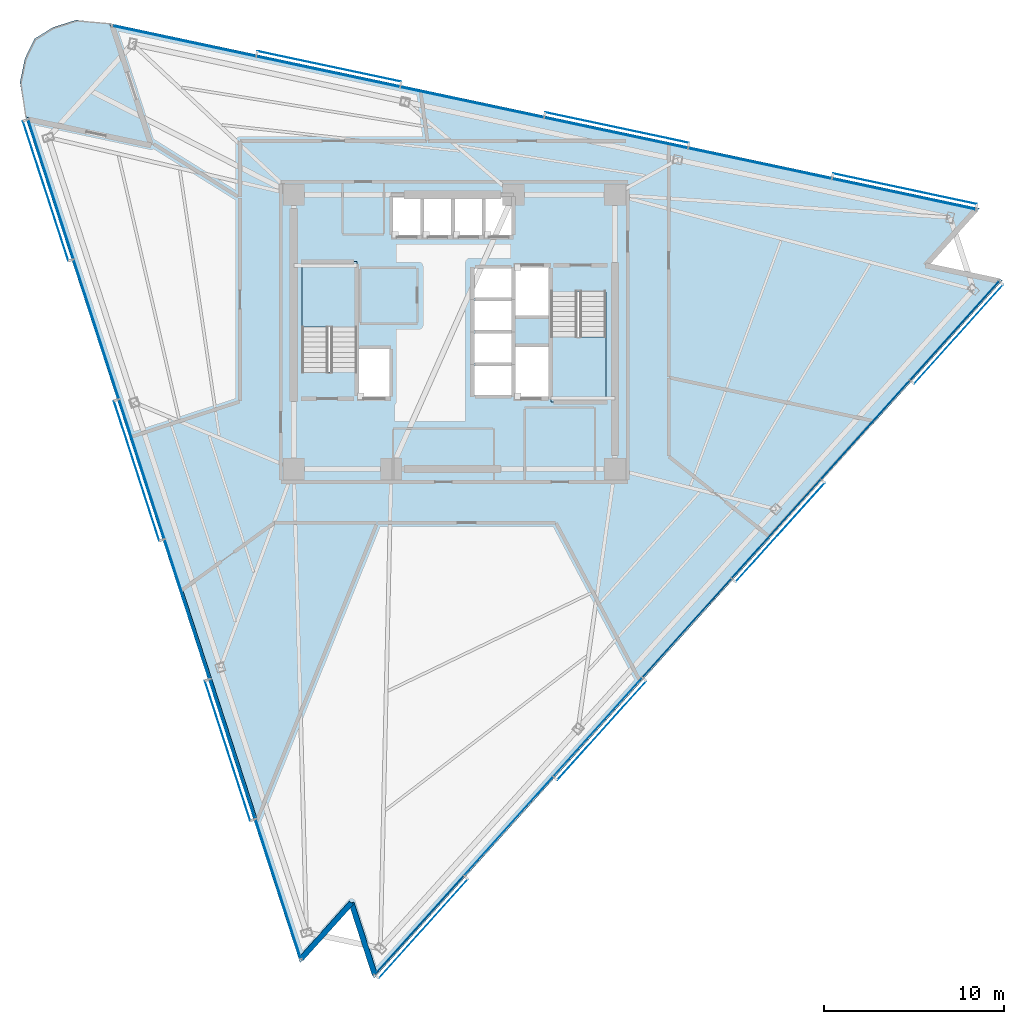
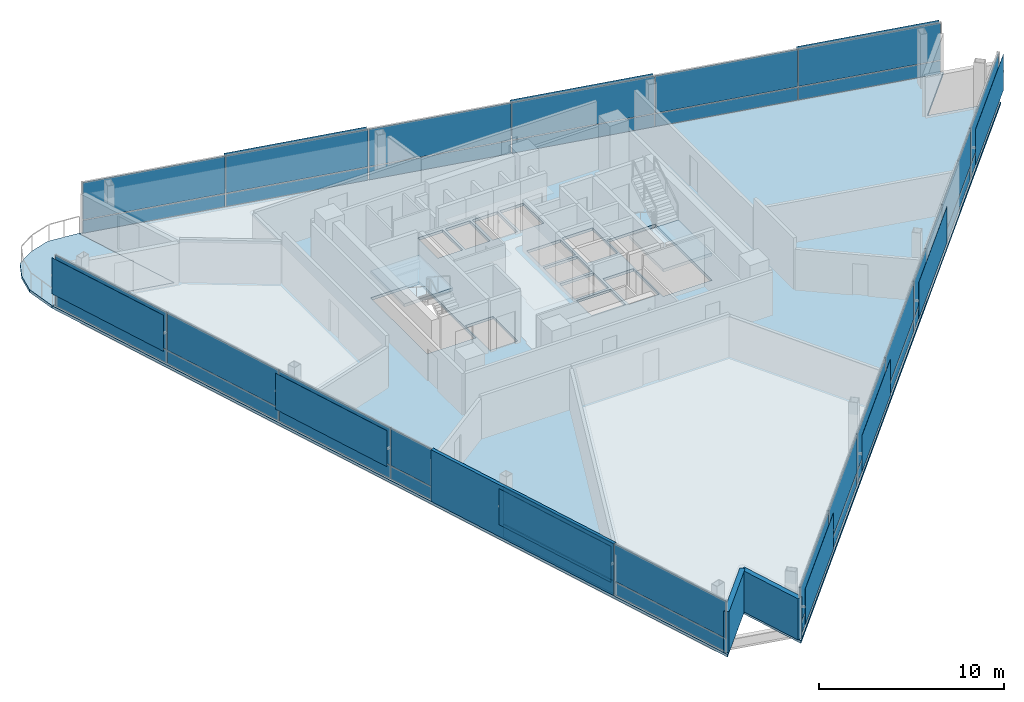
# One storey, part 9 of 17: 48 plates, 4 slabs, 3 walls, 5 elements without a shape of their own.
"""IFC4 building model written with IfcOpenShell, lengths in metres."""

from ifc_helpers import new_model, si_unit, direction, frame, frame_2d, origin, origin_2d, place, context, subcontext, project, spatial, polyline, rectangle, outline, extrude, material, layer, layer_set, type_object, element, aggregate, save


model = new_model("IFC4")

# Units and contexts
model_context = context("Model", 3, precision=1e-05, world=origin(), true_north=direction((0.0, 1.0)))
body_context = subcontext(model_context, "Body", "Model", "MODEL_VIEW")
ifc_project = project(units=[si_unit("LENGTHUNIT", "METRE"), si_unit("AREAUNIT", "SQUARE_METRE"), si_unit("VOLUMEUNIT", "CUBIC_METRE"), si_unit("PLANEANGLEUNIT", "RADIAN"), si_unit("MASSUNIT", "GRAM", prefix="KILO")], contexts=[model_context])

# Site, building, storey
site_placement = place(None, origin())
site = spatial("IfcSite", under=ifc_project, at=site_placement, CompositionType="ELEMENT")
building_placement = place(site_placement, origin())
building = spatial("IfcBuilding", under=site, at=building_placement, Name="Tharavind Bronze Gate", CompositionType="ELEMENT")
storey_placement = place(building_placement, frame((0.0, 0.0, 200.449951171875)))
storey = spatial("IfcBuildingStorey", under=building, at=storey_placement, Name="L51", CompositionType="ELEMENT", Elevation=200.449951171875)

# Plates
ifc_material_1 = material(Name="Perforated Bronze Alloy", Category="bronze")
ifc_layer_1 = layer(ifc_material_1, 0.011962890625)
ifc_layer_set_1 = layer_set([ifc_layer_1], Name="Perforated Bronze Alloy")
plate_type_1 = type_object("IfcPlateType", Name="BRONZE PERFORATED SOLAR SCREEN", PredefinedType="USERDEFINED", material=ifc_layer_set_1)
for number, where, z_axis, x_axis, name in (
    (1, (-22.650634765625, 7.81103515625, 0.966796875), (0.0, 0.0, 1.0), (0.309016994375, -0.951056516295, 0.0), "CW-L51-S1 perforated bronze solar screen 1"),
    (2, (-17.610107421875, -7.701904296875, 0.966796875), (0.0, 0.0, 1.0), (0.309016994375, -0.951056516295, 0.0), "CW-L51-S1 perforated bronze solar screen 3"),
    (3, (-12.569580078125, -23.215087890625, 0.966796875), (0.0, 0.0, 1.0), (0.309016994375, -0.951056516295, 0.0), "CW-L51-S1 perforated bronze solar screen 5"),
):
    element("IfcPlate", number, at=place(storey_placement, frame(where, z_axis=z_axis, x_axis=x_axis)), inside=storey, type_object=plate_type_1, Name=name, ObjectType="SCREEN", PredefinedType="USERDEFINED", context=body_context, shape_type="SweptSolid", body=[
        extrude(rectangle(XDim=8.1357421875, YDim=0.011962890625, at=origin_2d()), origin(), (0.0, 0.0, 1.0), 2.386962890625),
    ])
for number, where, z_axis, x_axis, name in (
    (4, (-1.720703125, -33.081298828125, 0.966796875), (0.0, 0.0, 1.0), (0.669130606359, 0.743144825477, 0.0), "CW-L51-S2 perforated bronze solar screen 1"),
    (5, (8.168212890625, -22.098388671875, 0.966796875), (0.0, 0.0, 1.0), (0.669130606359, 0.743144825477, 0.0), "CW-L51-S2 perforated bronze solar screen 3"),
    (6, (18.057373046875, -11.115478515625, 0.966796875), (0.0, 0.0, 1.0), (0.669130606359, 0.743144825477, 0.0), "CW-L51-S2 perforated bronze solar screen 5"),
    (7, (27.9462890625, -0.132568359375, 0.966796875), (0.0, 0.0, 1.0), (0.669130606359, 0.743144825477, 0.0), "CW-L51-S2 perforated bronze solar screen 7"),
):
    element("IfcPlate", number, at=place(storey_placement, frame(where, z_axis=z_axis, x_axis=x_axis)), inside=storey, type_object=plate_type_1, Name=name, ObjectType="SCREEN", PredefinedType="USERDEFINED", context=body_context, shape_type="SweptSolid", body=[
        extrude(rectangle(XDim=7.369384765625, YDim=0.011962890625, at=origin_2d()), origin(), (0.0, 0.0, 1.0), 2.386962890625),
    ])
for number, where, z_axis, x_axis, name in (
    (8, (24.977783203125, 7.929931640625, 0.966796875), (0.0, 0.0, 1.0), (-0.978147600734, 0.207911690818, 0.0), "CW-L51-S3 perforated bronze solar screen 1"),
    (9, (9.022705078125, 11.3212890625, 0.966796875), (0.0, 0.0, 1.0), (-0.978147600734, 0.207911690818, 0.0), "CW-L51-S3 perforated bronze solar screen 3"),
    (10, (-6.93212890625, 14.712646484375, 0.966796875), (0.0, 0.0, 1.0), (-0.978147600734, 0.207911690818, 0.0), "CW-L51-S3 perforated bronze solar screen 5"),
):
    element("IfcPlate", number, at=place(storey_placement, frame(where, z_axis=z_axis, x_axis=x_axis)), inside=storey, type_object=plate_type_1, Name=name, ObjectType="SCREEN", PredefinedType="USERDEFINED", context=body_context, shape_type="SweptSolid", body=[
        extrude(rectangle(XDim=8.1357421875, YDim=0.011962890625, at=origin_2d()), origin(), (0.0, 0.0, 1.0), 2.386962890625),
    ])

# Curtain wall, plates
ifc_material_2 = material(Name="Anodised Bronze Aluminium", Category="aluminium")
ifc_layer_2 = layer(ifc_material_2, 0.219970703125)
ifc_layer_set_2 = layer_set([ifc_layer_2], Name="Anodised Bronze Aluminium")
curtain_wall_type = type_object("IfcCurtainWallType", Name="UNITISED CURTAIN WALL MID OFFICE", PredefinedType="USERDEFINED", material=ifc_layer_set_2)
curtain_wall_1_placement = place(storey_placement, origin())
curtain_wall_1 = element("IfcCurtainWall", 11, at=curtain_wall_1_placement, inside=storey, type_object=curtain_wall_type, Name="L51 unitised curtain wall mid office CW-L51-S1", ObjectType="UNITISED CURTAIN WALL", PredefinedType="USERDEFINED")
ifc_material_3 = material(Name="Patinated Bronze Alloy Sheet", Category="bronze")
ifc_layer_3 = layer(ifc_material_3, 0.01611328125)
ifc_layer_set_3 = layer_set([ifc_layer_3], Name="Patinated Bronze Alloy Sheet")
plate_type_2 = type_object("IfcPlateType", Name="BRONZE SPANDREL CLADDING PANEL 16", PredefinedType="CURTAIN_PANEL", material=ifc_layer_set_3)
plate_1_placement = place(storey_placement, frame((-22.3701171875, 7.902099609375, 0.0263671875), z_axis=(0.0, 0.0, 1.0), x_axis=(0.309016994375, -0.951056516295, 0.0)))
plate_1 = element("IfcPlate", 12, at=plate_1_placement, type_object=plate_type_2, Name="CW-L51-S1 bronze spandrel panel 1", PredefinedType="CURTAIN_PANEL", context=body_context, shape_type="SweptSolid", body=[
    extrude(rectangle(XDim=8.102783203125, YDim=0.01611328125, at=origin_2d()), origin(), (0.0, 0.0, 1.0), 0.846923828125),
])
plate_2_placement = place(storey_placement, frame((-19.849853515625, 0.145751953125, 0.0263671875), z_axis=(0.0, 0.0, 1.0), x_axis=(0.309016994375, -0.951056516295, 0.0)))
plate_2 = element("IfcPlate", 13, at=plate_2_placement, type_object=plate_type_2, Name="CW-L51-S1 bronze spandrel panel 2", PredefinedType="CURTAIN_PANEL", context=body_context, shape_type="SweptSolid", body=[
    extrude(rectangle(XDim=8.102783203125, YDim=0.01611328125, at=origin_2d()), origin(), (0.0, 0.0, 1.0), 0.846923828125),
])
plate_3_placement = place(storey_placement, frame((-17.32958984375, -7.61083984375, 0.0263671875), z_axis=(0.0, 0.0, 1.0), x_axis=(0.309016994375, -0.951056516295, 0.0)))
plate_3 = element("IfcPlate", 14, at=plate_3_placement, type_object=plate_type_2, Name="CW-L51-S1 bronze spandrel panel 3", PredefinedType="CURTAIN_PANEL", context=body_context, shape_type="SweptSolid", body=[
    extrude(rectangle(XDim=8.102783203125, YDim=0.01611328125, at=origin_2d()), origin(), (0.0, 0.0, 1.0), 0.846923828125),
])
plate_4_placement = place(storey_placement, frame((-14.809326171875, -15.367431640625, 0.0263671875), z_axis=(0.0, 0.0, 1.0), x_axis=(0.309016994375, -0.951056516295, 0.0)))
plate_4 = element("IfcPlate", 15, at=plate_4_placement, type_object=plate_type_2, Name="CW-L51-S1 bronze spandrel panel 4", PredefinedType="CURTAIN_PANEL", context=body_context, shape_type="SweptSolid", body=[
    extrude(rectangle(XDim=8.102783203125, YDim=0.01611328125, at=origin_2d()), origin(), (0.0, 0.0, 1.0), 0.846923828125),
])
plate_5_placement = place(storey_placement, frame((-12.2890625, -23.123779296875, 0.0263671875), z_axis=(0.0, 0.0, 1.0), x_axis=(0.309016994375, -0.951056516295, 0.0)))
plate_5 = element("IfcPlate", 16, at=plate_5_placement, type_object=plate_type_2, Name="CW-L51-S1 bronze spandrel panel 5", PredefinedType="CURTAIN_PANEL", context=body_context, shape_type="SweptSolid", body=[
    extrude(rectangle(XDim=8.102783203125, YDim=0.01611328125, at=origin_2d()), origin(), (0.0, 0.0, 1.0), 0.846923828125),
])
plate_6_placement = place(storey_placement, frame((-9.768798828125, -30.88037109375, 0.0263671875), z_axis=(0.0, 0.0, 1.0), x_axis=(0.309016994375, -0.951056516295, 0.0)))
plate_6 = element("IfcPlate", 17, at=plate_6_placement, type_object=plate_type_2, Name="CW-L51-S1 bronze spandrel panel 6", PredefinedType="CURTAIN_PANEL", context=body_context, shape_type="SweptSolid", body=[
    extrude(rectangle(XDim=8.102783203125, YDim=0.01611328125, at=origin_2d()), origin(), (0.0, 0.0, 1.0), 0.846923828125),
])

curtain_wall_2_placement = place(storey_placement, origin())
curtain_wall_2 = element("IfcCurtainWall", 18, at=curtain_wall_2_placement, inside=storey, type_object=curtain_wall_type, Name="L51 unitised curtain wall mid office CW-L51-S2", ObjectType="UNITISED CURTAIN WALL", PredefinedType="USERDEFINED")
plate_7_placement = place(storey_placement, frame((-1.93994140625, -32.8837890625, 0.0263671875), z_axis=(0.0, 0.0, 1.0), x_axis=(0.669130606359, 0.743144825477, 0.0)))
plate_7 = element("IfcPlate", 19, at=plate_7_placement, type_object=plate_type_2, Name="CW-L51-S2 bronze spandrel panel 1", PredefinedType="CURTAIN_PANEL", context=body_context, shape_type="SweptSolid", body=[
    extrude(rectangle(XDim=7.33642578125, YDim=0.01611328125, at=origin_2d()), origin(), (0.0, 0.0, 1.0), 0.846923828125),
])
plate_8_placement = place(storey_placement, frame((3.004638671875, -27.392333984375, 0.0263671875), z_axis=(0.0, 0.0, 1.0), x_axis=(0.669130606359, 0.743144825477, 0.0)))
plate_8 = element("IfcPlate", 20, at=plate_8_placement, type_object=plate_type_2, Name="CW-L51-S2 bronze spandrel panel 2", PredefinedType="CURTAIN_PANEL", context=body_context, shape_type="SweptSolid", body=[
    extrude(rectangle(XDim=7.33642578125, YDim=0.01611328125, at=origin_2d()), origin(), (0.0, 0.0, 1.0), 0.846923828125),
])
plate_9_placement = place(storey_placement, frame((7.94921875, -21.90087890625, 0.0263671875), z_axis=(0.0, 0.0, 1.0), x_axis=(0.669130606359, 0.743144825477, 0.0)))
plate_9 = element("IfcPlate", 21, at=plate_9_placement, type_object=plate_type_2, Name="CW-L51-S2 bronze spandrel panel 3", PredefinedType="CURTAIN_PANEL", context=body_context, shape_type="SweptSolid", body=[
    extrude(rectangle(XDim=7.33642578125, YDim=0.01611328125, at=origin_2d()), origin(), (0.0, 0.0, 1.0), 0.846923828125),
])
plate_10_placement = place(storey_placement, frame((12.8935546875, -16.409423828125, 0.0263671875), z_axis=(0.0, 0.0, 1.0), x_axis=(0.669130606359, 0.743144825477, 0.0)))
plate_10 = element("IfcPlate", 22, at=plate_10_placement, type_object=plate_type_2, Name="CW-L51-S2 bronze spandrel panel 4", PredefinedType="CURTAIN_PANEL", context=body_context, shape_type="SweptSolid", body=[
    extrude(rectangle(XDim=7.33642578125, YDim=0.01611328125, at=origin_2d()), origin(), (0.0, 0.0, 1.0), 0.846923828125),
])
plate_11_placement = place(storey_placement, frame((17.838134765625, -10.91796875, 0.0263671875), z_axis=(0.0, 0.0, 1.0), x_axis=(0.669130606359, 0.743144825477, 0.0)))
plate_11 = element("IfcPlate", 23, at=plate_11_placement, type_object=plate_type_2, Name="CW-L51-S2 bronze spandrel panel 5", PredefinedType="CURTAIN_PANEL", context=body_context, shape_type="SweptSolid", body=[
    extrude(rectangle(XDim=7.33642578125, YDim=0.01611328125, at=origin_2d()), origin(), (0.0, 0.0, 1.0), 0.846923828125),
])
plate_12_placement = place(storey_placement, frame((22.78271484375, -5.426513671875, 0.0263671875), z_axis=(0.0, 0.0, 1.0), x_axis=(0.669130606359, 0.743144825477, 0.0)))
plate_12 = element("IfcPlate", 24, at=plate_12_placement, type_object=plate_type_2, Name="CW-L51-S2 bronze spandrel panel 6", PredefinedType="CURTAIN_PANEL", context=body_context, shape_type="SweptSolid", body=[
    extrude(rectangle(XDim=7.33642578125, YDim=0.01611328125, at=origin_2d()), origin(), (0.0, 0.0, 1.0), 0.846923828125),
])
plate_13_placement = place(storey_placement, frame((27.72705078125, 0.06494140625, 0.0263671875), z_axis=(0.0, 0.0, 1.0), x_axis=(0.669130606359, 0.743144825477, 0.0)))
plate_13 = element("IfcPlate", 25, at=plate_13_placement, type_object=plate_type_2, Name="CW-L51-S2 bronze spandrel panel 7", PredefinedType="CURTAIN_PANEL", context=body_context, shape_type="SweptSolid", body=[
    extrude(rectangle(XDim=7.33642578125, YDim=0.01611328125, at=origin_2d()), origin(), (0.0, 0.0, 1.0), 0.846923828125),
])

curtain_wall_3_placement = place(storey_placement, origin())
curtain_wall_3 = element("IfcCurtainWall", 26, at=curtain_wall_3_placement, inside=storey, type_object=curtain_wall_type, Name="L51 unitised curtain wall mid office CW-L51-S3", ObjectType="UNITISED CURTAIN WALL", PredefinedType="USERDEFINED")
plate_14_placement = place(storey_placement, frame((24.91650390625, 7.641357421875, 0.0263671875), z_axis=(0.0, 0.0, 1.0), x_axis=(-0.978147600734, 0.207911690818, 0.0)))
plate_14 = element("IfcPlate", 27, at=plate_14_placement, type_object=plate_type_2, Name="CW-L51-S3 bronze spandrel panel 1", PredefinedType="CURTAIN_PANEL", context=body_context, shape_type="SweptSolid", body=[
    extrude(rectangle(XDim=8.102783203125, YDim=0.01611328125, at=origin_2d()), origin(), (0.0, 0.0, 1.0), 0.846923828125),
])
plate_15_placement = place(storey_placement, frame((16.93896484375, 9.337158203125, 0.0263671875), z_axis=(0.0, 0.0, 1.0), x_axis=(-0.978147600734, 0.207911690818, 0.0)))
plate_15 = element("IfcPlate", 28, at=plate_15_placement, type_object=plate_type_2, Name="CW-L51-S3 bronze spandrel panel 2", PredefinedType="CURTAIN_PANEL", context=body_context, shape_type="SweptSolid", body=[
    extrude(rectangle(XDim=8.102783203125, YDim=0.01611328125, at=origin_2d()), origin(), (0.0, 0.0, 1.0), 0.846923828125),
])
plate_16_placement = place(storey_placement, frame((8.96142578125, 11.03271484375, 0.0263671875), z_axis=(0.0, 0.0, 1.0), x_axis=(-0.978147600734, 0.207911690818, 0.0)))
plate_16 = element("IfcPlate", 29, at=plate_16_placement, type_object=plate_type_2, Name="CW-L51-S3 bronze spandrel panel 3", PredefinedType="CURTAIN_PANEL", context=body_context, shape_type="SweptSolid", body=[
    extrude(rectangle(XDim=8.102783203125, YDim=0.01611328125, at=origin_2d()), origin(), (0.0, 0.0, 1.0), 0.846923828125),
])
plate_17_placement = place(storey_placement, frame((0.98388671875, 12.728515625, 0.0263671875), z_axis=(0.0, 0.0, 1.0), x_axis=(-0.978147600734, 0.207911690818, 0.0)))
plate_17 = element("IfcPlate", 30, at=plate_17_placement, type_object=plate_type_2, Name="CW-L51-S3 bronze spandrel panel 4", PredefinedType="CURTAIN_PANEL", context=body_context, shape_type="SweptSolid", body=[
    extrude(rectangle(XDim=8.102783203125, YDim=0.01611328125, at=origin_2d()), origin(), (0.0, 0.0, 1.0), 0.846923828125),
])
plate_18_placement = place(storey_placement, frame((-6.993408203125, 14.424072265625, 0.0263671875), z_axis=(0.0, 0.0, 1.0), x_axis=(-0.978147600734, 0.207911690818, 0.0)))
plate_18 = element("IfcPlate", 31, at=plate_18_placement, type_object=plate_type_2, Name="CW-L51-S3 bronze spandrel panel 5", PredefinedType="CURTAIN_PANEL", context=body_context, shape_type="SweptSolid", body=[
    extrude(rectangle(XDim=8.102783203125, YDim=0.01611328125, at=origin_2d()), origin(), (0.0, 0.0, 1.0), 0.846923828125),
])
plate_19_placement = place(storey_placement, frame((-14.970947265625, 16.119873046875, 0.0263671875), z_axis=(0.0, 0.0, 1.0), x_axis=(-0.978147600734, 0.207911690818, 0.0)))
plate_19 = element("IfcPlate", 32, at=plate_19_placement, type_object=plate_type_2, Name="CW-L51-S3 bronze spandrel panel 6", PredefinedType="CURTAIN_PANEL", context=body_context, shape_type="SweptSolid", body=[
    extrude(rectangle(XDim=8.102783203125, YDim=0.01611328125, at=origin_2d()), origin(), (0.0, 0.0, 1.0), 0.846923828125),
])

# Slab
ifc_material_4 = material(Name="Concrete C40/50", Category="concrete")
ifc_layer_4 = layer(ifc_material_4, 0.179931640625)
ifc_layer_set_4 = layer_set([ifc_layer_4], Name="Concrete C40/50")
slab_type_1 = type_object("IfcSlabType", Name="EXTERIOR BALCONY SLAB 180", PredefinedType="FLOOR", material=ifc_layer_set_4)
slab_1_placement = place(storey_placement, frame((0.0, 0.0, -0.179931640625)))
element("IfcSlab", 33, at=slab_1_placement, inside=storey, type_object=slab_type_1, Name="L51 northeast tree balcony slab", PredefinedType="FLOOR", context=body_context, shape_type="SweptSolid", body=[
    extrude(outline(polyline([(-20.960693359375, 17.28564453125), (-22.246337890625, 16.877685546875), (-23.275634765625, 16.239013671875), (-23.80322265625, 15.148681640625), (-24.074462890625, 13.82763671875), (-23.77880859375, 11.914306640625), (-16.951416015625, 10.463134765625), (-19.1083984375, 17.101318359375), (-20.960693359375, 17.28564453125)])), origin(), (0.0, 0.0, 1.0), 0.179931640625),
])

# Stair, slab
stair_type = type_object("IfcStairType", Name="CORE HALF TURN STAIR 1450", PredefinedType="HALF_TURN_STAIR", material=ifc_material_4)
stair_1_placement = place(storey_placement, origin())
stair_1 = element("IfcStair", 34, at=stair_1_placement, inside=storey, type_object=stair_type, Name="L51 Protected Exit Stair ST1", PredefinedType="HALF_TURN_STAIR")
ifc_layer_5 = layer(ifc_material_4, 0.199951171875)
ifc_layer_set_5 = layer_set([ifc_layer_5], Name="Concrete C40/50")
slab_type_2 = type_object("IfcSlabType", Name="STAIR LANDING SLAB 200", PredefinedType="LANDING", material=ifc_layer_set_5)
slab_2_placement = place(storey_placement, frame((0.0, 0.0, 1.60009765625)))
slab_2 = element("IfcSlab", 35, at=slab_2_placement, type_object=slab_type_2, Name="ST1 landing 1", PredefinedType="LANDING", context=body_context, shape_type="SweptSolid", body=[
    extrude(outline(polyline([(-5.39990234375, 0.27001953125), (-5.39990234375, 3.89990234375), (-8.449951171875, 3.89990234375), (-8.449951171875, 0.27001953125), (-5.39990234375, 0.27001953125)])), origin(), (0.0, 0.0, 1.0), 0.199951171875),
])
aggregate(stair_1, [slab_2])

stair_2_placement = place(storey_placement, origin())
stair_2 = element("IfcStair", 36, at=stair_2_placement, inside=storey, type_object=stair_type, Name="L51 Protected Exit Stair ST2", PredefinedType="HALF_TURN_STAIR")
slab_3_placement = place(storey_placement, frame((0.0, 0.0, 1.60009765625)))
slab_3 = element("IfcSlab", 37, at=slab_3_placement, type_object=slab_type_2, Name="ST2 landing 1", PredefinedType="LANDING", context=body_context, shape_type="SweptSolid", body=[
    extrude(outline(polyline([(5.35009765625, -0.27001953125), (5.35009765625, -3.89990234375), (8.39990234375, -3.89990234375), (8.39990234375, -0.27001953125), (5.35009765625, -0.27001953125)])), origin(), (0.0, 0.0, 1.0), 0.199951171875),
])
aggregate(stair_2, [slab_3])

# Slab
ifc_layer_6 = layer(ifc_material_4, 0.179931640625)
ifc_layer_set_6 = layer_set([ifc_layer_6], Name="Concrete C40/50")
slab_type_3 = type_object("IfcSlabType", Name="STRUCTURAL FLOOR SLAB 180", PredefinedType="FLOOR", material=ifc_layer_set_6)
slab_4_placement = place(storey_placement, frame((0.0, 0.0, -0.179931640625)))
element("IfcSlab", 38, at=slab_4_placement, inside=storey, type_object=slab_type_3, Name="L51 main structural floor slab", PredefinedType="FLOOR", context=body_context, shape_type="SweptSolid", body=[
    extrude(outline(polyline([(-19.1083984375, 17.101318359375), (-16.951416015625, 10.463134765625), (-23.77880859375, 11.914306640625), (-8.55029296875, -34.954345703125), (-5.748046875, -31.842041015625), (-4.453857421875, -35.8251953125), (30.3896484375, 2.872314453125), (26.293212890625, 3.7431640625), (29.095458984375, 6.85546875), (-19.1083984375, 17.101318359375)]), holes=[polyline([(-5.39990234375, -2.215087890625), (-5.39990234375, 3.89990234375), (-8.449951171875, 3.89990234375), (-8.449951171875, -2.215087890625), (-5.39990234375, -2.215087890625)]), polyline([(5.35009765625, 2.215087890625), (5.35009765625, -3.89990234375), (8.39990234375, -3.89990234375), (8.39990234375, 2.215087890625), (5.35009765625, 2.215087890625)]), polyline([(-3.419921875, 5.330078125), (-1.867431640625, 5.330078125), (-1.867431640625, 7.52001953125), (-3.419921875, 7.52001953125), (-3.419921875, 5.330078125)]), polyline([(-1.70751953125, 5.330078125), (-0.155029296875, 5.330078125), (-0.155029296875, 7.52001953125), (-1.70751953125, 7.52001953125), (-1.70751953125, 5.330078125)]), polyline([(0.0048828125, 5.330078125), (1.5576171875, 5.330078125), (1.5576171875, 7.52001953125), (0.0048828125, 7.52001953125), (0.0048828125, 5.330078125)]), polyline([(1.717529296875, 5.330078125), (3.199951171875, 5.330078125), (3.199951171875, 7.52001953125), (1.717529296875, 7.52001953125), (1.717529296875, 5.330078125)]), polyline([(1.080078125, -3.52001953125), (3.199951171875, -3.52001953125), (3.199951171875, -1.8798828125), (1.080078125, -1.8798828125), (1.080078125, -3.52001953125)]), polyline([(1.080078125, -1.719970703125), (3.199951171875, -1.719970703125), (3.199951171875, -0.080078125), (1.080078125, -0.080078125), (1.080078125, -1.719970703125)]), polyline([(1.080078125, 0.080078125), (3.199951171875, 0.080078125), (3.199951171875, 1.719970703125), (1.080078125, 1.719970703125), (1.080078125, 0.080078125)]), polyline([(1.080078125, 1.8798828125), (3.199951171875, 1.8798828125), (3.199951171875, 3.52001953125), (1.080078125, 3.52001953125), (1.080078125, 1.8798828125)]), polyline([(-5.320068359375, -3.6201171875), (-3.580078125, -3.6201171875), (-3.580078125, -0.929931640625), (-5.320068359375, -0.929931640625), (-5.320068359375, -3.6201171875)]), polyline([(3.360107421875, 0.8798828125), (5.27001953125, 0.8798828125), (5.27001953125, 3.6201171875), (3.360107421875, 3.6201171875), (3.360107421875, 0.8798828125)]), polyline([(3.360107421875, -3.6201171875), (5.27001953125, -3.6201171875), (5.27001953125, -0.830078125), (3.360107421875, -0.830078125), (3.360107421875, -3.6201171875)])]), origin(), (0.0, 0.0, 1.0), 0.179931640625),
])

# Plate
ifc_material_5 = material(Name="Triple Solar Control Glazing", Category="glass")
ifc_layer_7 = layer(ifc_material_5, 0.0439453125)
ifc_layer_set_7 = layer_set([ifc_layer_7], Name="Triple Solar Control Glazing")
plate_type_3 = type_object("IfcPlateType", Name="TRIPLE GLAZED FACADE PANEL 44", PredefinedType="CURTAIN_PANEL", material=ifc_layer_set_7)
plate_20_placement = place(storey_placement, frame((-22.3701171875, 7.902099609375, 0.9267578125), z_axis=(0.0, 0.0, 1.0), x_axis=(0.309016994375, -0.951056516295, 0.0)))
plate_20 = element("IfcPlate", 39, at=plate_20_placement, type_object=plate_type_3, Name="CW-L51-S1 vision glazing panel 1", PredefinedType="CURTAIN_PANEL", context=body_context, shape_type="SweptSolid", body=[
    extrude(rectangle(XDim=8.102783203125, YDim=0.0439453125, at=origin_2d()), origin(), (0.0, 0.0, 1.0), 2.467041015625),
])

plate_21_placement = place(storey_placement, frame((-19.849853515625, 0.145751953125, 0.9267578125), z_axis=(0.0, 0.0, 1.0), x_axis=(0.309016994375, -0.951056516295, 0.0)))
plate_21 = element("IfcPlate", 40, at=plate_21_placement, type_object=plate_type_3, Name="CW-L51-S1 vision glazing panel 2", PredefinedType="CURTAIN_PANEL", context=body_context, shape_type="SweptSolid", body=[
    extrude(rectangle(XDim=8.102783203125, YDim=0.0439453125, at=origin_2d()), origin(), (0.0, 0.0, 1.0), 2.467041015625),
])

plate_22_placement = place(storey_placement, frame((-17.32958984375, -7.61083984375, 0.9267578125), z_axis=(0.0, 0.0, 1.0), x_axis=(0.309016994375, -0.951056516295, 0.0)))
plate_22 = element("IfcPlate", 41, at=plate_22_placement, type_object=plate_type_3, Name="CW-L51-S1 vision glazing panel 3", PredefinedType="CURTAIN_PANEL", context=body_context, shape_type="SweptSolid", body=[
    extrude(rectangle(XDim=8.102783203125, YDim=0.0439453125, at=origin_2d()), origin(), (0.0, 0.0, 1.0), 2.467041015625),
])

plate_23_placement = place(storey_placement, frame((-14.809326171875, -15.367431640625, 0.9267578125), z_axis=(0.0, 0.0, 1.0), x_axis=(0.309016994375, -0.951056516295, 0.0)))
plate_23 = element("IfcPlate", 42, at=plate_23_placement, type_object=plate_type_3, Name="CW-L51-S1 vision glazing panel 4", PredefinedType="CURTAIN_PANEL", context=body_context, shape_type="SweptSolid", body=[
    extrude(rectangle(XDim=8.102783203125, YDim=0.0439453125, at=origin_2d()), origin(), (0.0, 0.0, 1.0), 2.467041015625),
])

plate_24_placement = place(storey_placement, frame((-12.2890625, -23.123779296875, 0.9267578125), z_axis=(0.0, 0.0, 1.0), x_axis=(0.309016994375, -0.951056516295, 0.0)))
plate_24 = element("IfcPlate", 43, at=plate_24_placement, type_object=plate_type_3, Name="CW-L51-S1 vision glazing panel 5", PredefinedType="CURTAIN_PANEL", context=body_context, shape_type="SweptSolid", body=[
    extrude(rectangle(XDim=8.102783203125, YDim=0.0439453125, at=origin_2d()), origin(), (0.0, 0.0, 1.0), 2.467041015625),
])

plate_25_placement = place(storey_placement, frame((-9.768798828125, -30.88037109375, 0.9267578125), z_axis=(0.0, 0.0, 1.0), x_axis=(0.309016994375, -0.951056516295, 0.0)))
plate_25 = element("IfcPlate", 44, at=plate_25_placement, type_object=plate_type_3, Name="CW-L51-S1 vision glazing panel 6", PredefinedType="CURTAIN_PANEL", context=body_context, shape_type="SweptSolid", body=[
    extrude(rectangle(XDim=8.102783203125, YDim=0.0439453125, at=origin_2d()), origin(), (0.0, 0.0, 1.0), 2.467041015625),
])

aggregate(curtain_wall_1, [plate_1, plate_20, plate_2, plate_21, plate_3, plate_22, plate_4, plate_23, plate_5, plate_24, plate_6, plate_25])

plate_26_placement = place(storey_placement, frame((-1.93994140625, -32.8837890625, 0.9267578125), z_axis=(0.0, 0.0, 1.0), x_axis=(0.669130606359, 0.743144825477, 0.0)))
plate_26 = element("IfcPlate", 45, at=plate_26_placement, type_object=plate_type_3, Name="CW-L51-S2 vision glazing panel 1", PredefinedType="CURTAIN_PANEL", context=body_context, shape_type="SweptSolid", body=[
    extrude(rectangle(XDim=7.33642578125, YDim=0.0439453125, at=origin_2d()), origin(), (0.0, 0.0, 1.0), 2.467041015625),
])

plate_27_placement = place(storey_placement, frame((3.004638671875, -27.392333984375, 0.9267578125), z_axis=(0.0, 0.0, 1.0), x_axis=(0.669130606359, 0.743144825477, 0.0)))
plate_27 = element("IfcPlate", 46, at=plate_27_placement, type_object=plate_type_3, Name="CW-L51-S2 vision glazing panel 2", PredefinedType="CURTAIN_PANEL", context=body_context, shape_type="SweptSolid", body=[
    extrude(rectangle(XDim=7.33642578125, YDim=0.0439453125, at=origin_2d()), origin(), (0.0, 0.0, 1.0), 2.467041015625),
])

plate_28_placement = place(storey_placement, frame((7.94921875, -21.90087890625, 0.9267578125), z_axis=(0.0, 0.0, 1.0), x_axis=(0.669130606359, 0.743144825477, 0.0)))
plate_28 = element("IfcPlate", 47, at=plate_28_placement, type_object=plate_type_3, Name="CW-L51-S2 vision glazing panel 3", PredefinedType="CURTAIN_PANEL", context=body_context, shape_type="SweptSolid", body=[
    extrude(rectangle(XDim=7.33642578125, YDim=0.0439453125, at=origin_2d()), origin(), (0.0, 0.0, 1.0), 2.467041015625),
])

plate_29_placement = place(storey_placement, frame((12.8935546875, -16.409423828125, 0.9267578125), z_axis=(0.0, 0.0, 1.0), x_axis=(0.669130606359, 0.743144825477, 0.0)))
plate_29 = element("IfcPlate", 48, at=plate_29_placement, type_object=plate_type_3, Name="CW-L51-S2 vision glazing panel 4", PredefinedType="CURTAIN_PANEL", context=body_context, shape_type="SweptSolid", body=[
    extrude(rectangle(XDim=7.33642578125, YDim=0.0439453125, at=origin_2d()), origin(), (0.0, 0.0, 1.0), 2.467041015625),
])

plate_30_placement = place(storey_placement, frame((17.838134765625, -10.91796875, 0.9267578125), z_axis=(0.0, 0.0, 1.0), x_axis=(0.669130606359, 0.743144825477, 0.0)))
plate_30 = element("IfcPlate", 49, at=plate_30_placement, type_object=plate_type_3, Name="CW-L51-S2 vision glazing panel 5", PredefinedType="CURTAIN_PANEL", context=body_context, shape_type="SweptSolid", body=[
    extrude(rectangle(XDim=7.33642578125, YDim=0.0439453125, at=origin_2d()), origin(), (0.0, 0.0, 1.0), 2.467041015625),
])

plate_31_placement = place(storey_placement, frame((22.78271484375, -5.426513671875, 0.9267578125), z_axis=(0.0, 0.0, 1.0), x_axis=(0.669130606359, 0.743144825477, 0.0)))
plate_31 = element("IfcPlate", 50, at=plate_31_placement, type_object=plate_type_3, Name="CW-L51-S2 vision glazing panel 6", PredefinedType="CURTAIN_PANEL", context=body_context, shape_type="SweptSolid", body=[
    extrude(rectangle(XDim=7.33642578125, YDim=0.0439453125, at=origin_2d()), origin(), (0.0, 0.0, 1.0), 2.467041015625),
])

plate_32_placement = place(storey_placement, frame((27.72705078125, 0.06494140625, 0.9267578125), z_axis=(0.0, 0.0, 1.0), x_axis=(0.669130606359, 0.743144825477, 0.0)))
plate_32 = element("IfcPlate", 51, at=plate_32_placement, type_object=plate_type_3, Name="CW-L51-S2 vision glazing panel 7", PredefinedType="CURTAIN_PANEL", context=body_context, shape_type="SweptSolid", body=[
    extrude(rectangle(XDim=7.33642578125, YDim=0.0439453125, at=origin_2d()), origin(), (0.0, 0.0, 1.0), 2.467041015625),
])

aggregate(curtain_wall_2, [plate_7, plate_26, plate_8, plate_27, plate_9, plate_28, plate_10, plate_29, plate_11, plate_30, plate_12, plate_31, plate_13, plate_32])

plate_33_placement = place(storey_placement, frame((24.91650390625, 7.641357421875, 0.9267578125), z_axis=(0.0, 0.0, 1.0), x_axis=(-0.978147600734, 0.207911690818, 0.0)))
plate_33 = element("IfcPlate", 52, at=plate_33_placement, type_object=plate_type_3, Name="CW-L51-S3 vision glazing panel 1", PredefinedType="CURTAIN_PANEL", context=body_context, shape_type="SweptSolid", body=[
    extrude(rectangle(XDim=8.102783203125, YDim=0.0439453125, at=origin_2d()), origin(), (0.0, 0.0, 1.0), 2.467041015625),
])

plate_34_placement = place(storey_placement, frame((16.93896484375, 9.337158203125, 0.9267578125), z_axis=(0.0, 0.0, 1.0), x_axis=(-0.978147600734, 0.207911690818, 0.0)))
plate_34 = element("IfcPlate", 53, at=plate_34_placement, type_object=plate_type_3, Name="CW-L51-S3 vision glazing panel 2", PredefinedType="CURTAIN_PANEL", context=body_context, shape_type="SweptSolid", body=[
    extrude(rectangle(XDim=8.102783203125, YDim=0.0439453125, at=origin_2d()), origin(), (0.0, 0.0, 1.0), 2.467041015625),
])

plate_35_placement = place(storey_placement, frame((8.96142578125, 11.03271484375, 0.9267578125), z_axis=(0.0, 0.0, 1.0), x_axis=(-0.978147600734, 0.207911690818, 0.0)))
plate_35 = element("IfcPlate", 54, at=plate_35_placement, type_object=plate_type_3, Name="CW-L51-S3 vision glazing panel 3", PredefinedType="CURTAIN_PANEL", context=body_context, shape_type="SweptSolid", body=[
    extrude(rectangle(XDim=8.102783203125, YDim=0.0439453125, at=origin_2d()), origin(), (0.0, 0.0, 1.0), 2.467041015625),
])

plate_36_placement = place(storey_placement, frame((0.98388671875, 12.728515625, 0.9267578125), z_axis=(0.0, 0.0, 1.0), x_axis=(-0.978147600734, 0.207911690818, 0.0)))
plate_36 = element("IfcPlate", 55, at=plate_36_placement, type_object=plate_type_3, Name="CW-L51-S3 vision glazing panel 4", PredefinedType="CURTAIN_PANEL", context=body_context, shape_type="SweptSolid", body=[
    extrude(rectangle(XDim=8.102783203125, YDim=0.0439453125, at=origin_2d()), origin(), (0.0, 0.0, 1.0), 2.467041015625),
])

plate_37_placement = place(storey_placement, frame((-6.993408203125, 14.424072265625, 0.9267578125), z_axis=(0.0, 0.0, 1.0), x_axis=(-0.978147600734, 0.207911690818, 0.0)))
plate_37 = element("IfcPlate", 56, at=plate_37_placement, type_object=plate_type_3, Name="CW-L51-S3 vision glazing panel 5", PredefinedType="CURTAIN_PANEL", context=body_context, shape_type="SweptSolid", body=[
    extrude(rectangle(XDim=8.102783203125, YDim=0.0439453125, at=origin_2d()), origin(), (0.0, 0.0, 1.0), 2.467041015625),
])

plate_38_placement = place(storey_placement, frame((-14.970947265625, 16.119873046875, 0.9267578125), z_axis=(0.0, 0.0, 1.0), x_axis=(-0.978147600734, 0.207911690818, 0.0)))
plate_38 = element("IfcPlate", 57, at=plate_38_placement, type_object=plate_type_3, Name="CW-L51-S3 vision glazing panel 6", PredefinedType="CURTAIN_PANEL", context=body_context, shape_type="SweptSolid", body=[
    extrude(rectangle(XDim=8.102783203125, YDim=0.0439453125, at=origin_2d()), origin(), (0.0, 0.0, 1.0), 2.467041015625),
])

aggregate(curtain_wall_3, [plate_14, plate_33, plate_15, plate_34, plate_16, plate_35, plate_17, plate_36, plate_18, plate_37, plate_19, plate_38])

# Walls
ifc_layer_8 = layer(ifc_material_4, 0.300048828125)
ifc_layer_set_8 = layer_set([ifc_layer_8], Name="Concrete C40/50")
wall_type_1 = type_object("IfcWallType", Name="EXTERIOR SPANDREL WALL 300", PredefinedType="STANDARD", material=ifc_layer_set_8)
wall_1_placement = place(storey_placement, frame((-8.5087890625, -34.7587890625, 0.0), z_axis=(0.0, 0.0, 1.0), x_axis=(0.669151507466, 0.743126005504, 0.0)))
element("IfcWall", 58, at=wall_1_placement, inside=storey, type_object=wall_type_1, Name="L51 notch cheek wall 2A", PredefinedType="STANDARD", context=body_context, shape_type="SweptSolid", body=[
    extrude(rectangle(XDim=4.188232421875, YDim=0.300048828125, at=frame_2d((2.09423828125, 0.0))), origin(), (0.0, 0.0, 1.0), 2.715087890625),
])
wall_2_placement = place(storey_placement, frame((-5.706298828125, -31.646484375, 0.0), z_axis=(0.0, 0.0, 1.0), x_axis=(0.309030708092, -0.951052060329, 0.0)))
element("IfcWall", 59, at=wall_2_placement, inside=storey, type_object=wall_type_1, Name="L51 notch cheek wall 2B", PredefinedType="STANDARD", context=body_context, shape_type="SweptSolid", body=[
    extrude(rectangle(XDim=4.18798828125, YDim=0.300048828125, at=frame_2d((2.093994140625, 0.0))), origin(), (0.0, 0.0, 1.0), 2.715087890625),
])
ifc_material_6 = material(Name="Aerated Concrete Block", Category="concrete")
ifc_layer_9 = layer(ifc_material_6, 0.199951171875)
ifc_layer_set_9 = layer_set([ifc_layer_9], Name="Aerated Concrete Block")
wall_type_2 = type_object("IfcWallType", Name="FIRE RATED PARTITION 200", PredefinedType="PARTITIONING", material=ifc_layer_set_9)
wall_3_placement = place(storey_placement, frame((-11.026123046875, -27.0107421875, 0.0), z_axis=(0.0, 0.0, 1.0), x_axis=(-0.309025926892, 0.951053613898, 0.0)))
element("IfcWall", 60, at=wall_3_placement, inside=storey, type_object=wall_type_2, Name="L51 Public Restrooms Block partition", PredefinedType="PARTITIONING", context=body_context, shape_type="SweptSolid", body=[
    extrude(rectangle(XDim=13.308837890625, YDim=0.199951171875, at=frame_2d((6.654296875, 0.0))), origin(), (0.0, 0.0, 1.0), 3.420166015625),
])

save(model, "model.ifc")
